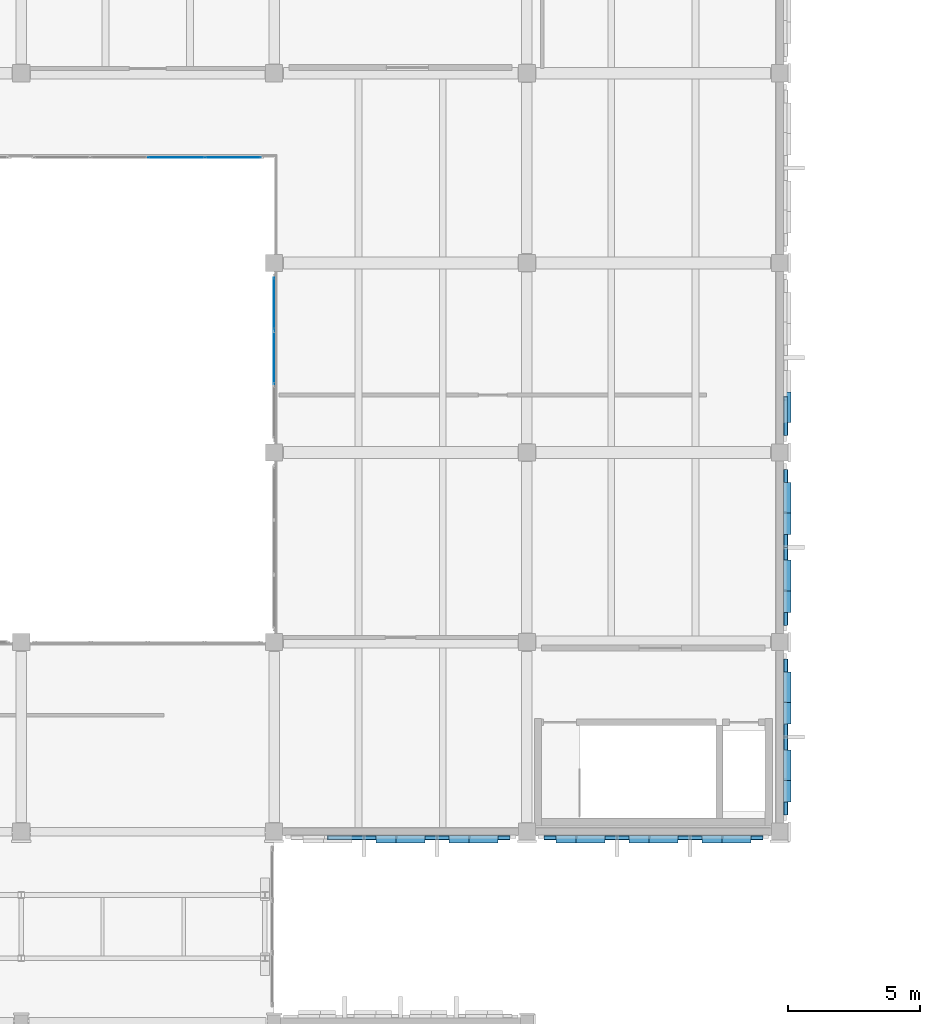
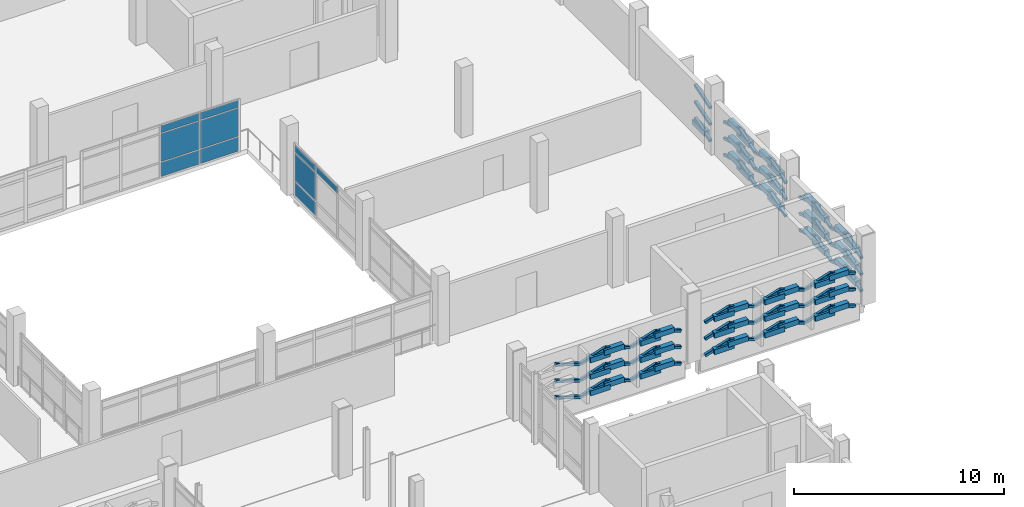
# One storey, part 41 of 72: 125 plates, 2 elements without a shape of their own.
"""IFC4 building model written with IfcOpenShell, lengths in metres."""

import ifcopenshell
import ifcopenshell.guid

model = None  # the IFC model being written
_history = None  # IfcOwnerHistory: only IFC2X3 demands one
_inside = {}  # id of a spatial element -> (the spatial element, [elements in it])
_under = {}  # id of a project, library or spatial element -> (it, [spatial elements below it])
_declared = {}  # id of a project -> (the project, [libraries it declares])
_typed = {}  # id of a type object -> (the type object, [elements of that type])
_made_of = {}  # id of a material, layer set ... -> (it, [elements and type objects made of it])


def new_model(schema):
    """Start an empty IFC model of exactly this schema.

    Asked for "IFC4X3", IfcOpenShell would pick the latest addendum, in which some entities
    have other attributes; the version numbers below select the first issue.
    IFC2X3 requires an IfcOwnerHistory on every rooted entity: one is made here for all.
    """
    global model, _history
    if schema == "IFC4X3":
        model = ifcopenshell.file(schema_version=(4, 3, 0, 0))
    else:
        model = ifcopenshell.file(schema=schema)
    _inside.clear()
    _under.clear()
    _declared.clear()
    _typed.clear()
    _made_of.clear()
    _history = None
    if model.schema == "IFC2X3":
        org = make("IfcOrganization", Name="unknown")
        user = make(
            "IfcPersonAndOrganization",
            ThePerson=make("IfcPerson", FamilyName="unknown"),
            TheOrganization=org,
        )
        app = make(
            "IfcApplication",
            ApplicationDeveloper=org,
            Version="unknown",
            ApplicationFullName="unknown",
            ApplicationIdentifier="unknown",
        )
        _history = make(
            "IfcOwnerHistory",
            OwningUser=user,
            OwningApplication=app,
            ChangeAction="ADDED",
            CreationDate=0,
        )
    return model


def make(cls, **values):
    """One entity of the class cls with the attributes given. An attribute that is None is left unset."""
    return model.create_entity(
        cls, **{name: value for name, value in values.items() if value is not None}
    )


def rooted(cls, **values):
    """An entity with a GlobalId (a new one), such as an element, a storey or a relation."""
    return make(cls, GlobalId=ifcopenshell.guid.new(), OwnerHistory=_history, **values)


def si_unit(unit_type, name, prefix=None):
    """IfcSIUnit, for example si_unit("LENGTHUNIT", "METRE", prefix="MILLI")."""
    return make("IfcSIUnit", UnitType=unit_type, Prefix=prefix, Name=name)


def assignment(units):
    """IfcUnitAssignment: the units of a project."""
    return None if units is None else make("IfcUnitAssignment", Units=units)


def point(xyz):
    """IfcCartesianPoint."""
    return None if xyz is None else make("IfcCartesianPoint", Coordinates=xyz)


def direction(xyz):
    """IfcDirection."""
    return None if xyz is None else make("IfcDirection", DirectionRatios=xyz)


def frame(location, z_axis=None, x_axis=None):
    """IfcAxis2Placement3D, a coordinate frame: its origin and axes. An axis left out is left unset."""
    return make(
        "IfcAxis2Placement3D",
        Location=point(location),
        Axis=direction(z_axis),
        RefDirection=direction(x_axis),
    )


def frame_2d(location, x_axis=None):
    """IfcAxis2Placement2D, a coordinate frame in the plane: its origin and x axis."""
    return make(
        "IfcAxis2Placement2D", Location=point(location), RefDirection=direction(x_axis)
    )


def origin():
    """The frame at (0, 0, 0) with its axes left unset."""
    return frame((0.0, 0.0, 0.0))


def origin_2d():
    """The frame at (0, 0) in the plane with its x axis left unset."""
    return frame_2d((0.0, 0.0))


def place(relative_to, where):
    """IfcLocalPlacement: puts the frame where relative to a parent placement (None: the world)."""
    return make(
        "IfcLocalPlacement", PlacementRelTo=relative_to, RelativePlacement=where
    )


def context(
    kind, dimensions, precision=None, world=None, true_north=None, identifier=None
):
    """IfcGeometricRepresentationContext, for example the 3D "Model" context."""
    return make(
        "IfcGeometricRepresentationContext",
        ContextIdentifier=identifier,
        ContextType=kind,
        CoordinateSpaceDimension=dimensions,
        Precision=precision,
        WorldCoordinateSystem=world,
        TrueNorth=true_north,
    )


def subcontext(parent, identifier, kind, view, scale=None):
    """IfcGeometricRepresentationSubContext, for example "Body" below "Model"."""
    return make(
        "IfcGeometricRepresentationSubContext",
        ContextIdentifier=identifier,
        ContextType=kind,
        ParentContext=parent,
        TargetScale=scale,
        TargetView=view,
    )


def project(units=None, contexts=None):
    """IfcProject with its units and contexts."""
    return rooted(
        "IfcProject",
        Name="project",
        RepresentationContexts=contexts,
        UnitsInContext=assignment(units),
    )


def spatial(cls, under=None, at=None, **own):
    """A site, building, storey or space (cls), placed at a placement, below another one or the project."""
    s = rooted(cls, ObjectPlacement=at, **own)
    if under is not None:
        _under.setdefault(under.id(), (under, []))[1].append(s)
    return s


def profile(cls, at=None, kind="AREA", **sizes):
    """A parametric profile (cls). Its sizes go by their IFC names, for example OverallWidth=200.0."""
    return make(cls, ProfileType=kind, Position=at, **sizes)


def rectangle(**sizes):
    """IfcRectangleProfileDef."""
    return profile("IfcRectangleProfileDef", **sizes)


def hollow_rectangle(**sizes):
    """IfcRectangleHollowProfileDef."""
    return profile("IfcRectangleHollowProfileDef", **sizes)


def extrude(swept, where, along, depth):
    """IfcExtrudedAreaSolid: the profile swept, set in the frame where, extruded along a direction by depth."""
    return make(
        "IfcExtrudedAreaSolid",
        SweptArea=swept,
        Position=where,
        ExtrudedDirection=direction(along),
        Depth=depth,
    )


def shape(context_of_items, identifier, shape_type, items):
    """IfcShapeRepresentation: the items that make up one representation, for example the "Body"."""
    return make(
        "IfcShapeRepresentation",
        ContextOfItems=context_of_items,
        RepresentationIdentifier=identifier,
        RepresentationType=shape_type,
        Items=items,
    )


def material(Name=None, Category=None):
    """IfcMaterial."""
    return make("IfcMaterial", Name=Name, Category=Category)


def layer(
    of_material, thickness, ventilated=None, Name=None, Category=None, Priority=None
):
    """IfcMaterialLayer: one layer of a wall or slab, of a material (None: an air gap)."""
    return make(
        "IfcMaterialLayer",
        Material=of_material,
        LayerThickness=thickness,
        IsVentilated=ventilated,
        Name=Name,
        Category=Category,
        Priority=Priority,
    )


def layer_set(layers, Name=None):
    """IfcMaterialLayerSet."""
    return make("IfcMaterialLayerSet", MaterialLayers=layers, LayerSetName=Name)


def material_profile(
    of_material, cross_section, Name=None, Category=None, Priority=None
):
    """IfcMaterialProfile: a cross section and its material."""
    return make(
        "IfcMaterialProfile",
        Name=Name,
        Material=of_material,
        Profile=cross_section,
        Priority=Priority,
        Category=Category,
    )


def profile_set(profiles, Name=None, composite=None):
    """IfcMaterialProfileSet."""
    return make(
        "IfcMaterialProfileSet",
        Name=Name,
        MaterialProfiles=profiles,
        CompositeProfile=composite,
    )


def made_of(thing, what):
    """Note that an element or type object is made of a material, layer set ...; save() writes the relation."""
    if what is not None:
        _made_of.setdefault(what.id(), (what, []))[1].append(thing)
    return thing


def type_object(cls, material=None, **own):
    """A type object (cls), such as IfcWallType, which elements share."""
    return made_of(rooted(cls, **own), material)


def element(
    cls,
    number,
    at=None,
    inside=None,
    cuts=None,
    type_object=None,
    material=None,
    context=None,
    identifier="Body",
    shape_type=None,
    held_by="IfcProductDefinitionShape",
    body=None,
    shapes=None,
    **own,
):
    """One element of the class cls, such as IfcWall. Its Tag is "e" and its number.

    at: its placement. inside: the storey or other place that contains it. cuts: it is an
    opening in that element (IfcRelVoidsElement). A single representation is given by context,
    identifier, shape_type and body (its items); several are given by shapes. held_by: the class
    of the entity that holds the representations. save() writes the other relations.
    """
    e = rooted(cls, Tag="e%d" % number, ObjectPlacement=at, **own)
    if body is not None:
        shapes = [shape(context, identifier, shape_type, body)]
    if shapes is not None:
        e.Representation = make(held_by, Representations=shapes)
    if inside is not None:
        _inside.setdefault(inside.id(), (inside, []))[1].append(e)
    if cuts is not None:
        rooted(
            "IfcRelVoidsElement", RelatingBuildingElement=cuts, RelatedOpeningElement=e
        )
    if type_object is not None:
        _typed.setdefault(type_object.id(), (type_object, []))[1].append(e)
    return made_of(e, material)


def aggregate(whole, parts):
    """IfcRelAggregates: a whole, such as a stair, and the parts it consists of."""
    return rooted("IfcRelAggregates", RelatingObject=whole, RelatedObjects=parts)


def save(model, path):
    """Write the relations noted so far, then the file.

    IfcRelAggregates (storeys below a building ...), IfcRelContainedInSpatialStructure (elements
    in a storey), IfcRelDefinesByType, IfcRelAssociatesMaterial and IfcRelDeclares: one each for
    every whole, place, type object, material and project.
    """
    for whole, parts in _under.values():
        aggregate(whole, parts)
    for where, things in _inside.values():
        rooted(
            "IfcRelContainedInSpatialStructure",
            RelatedElements=things,
            RelatingStructure=where,
        )
    for kind, things in _typed.values():
        rooted("IfcRelDefinesByType", RelatedObjects=things, RelatingType=kind)
    for what, things in _made_of.values():
        rooted("IfcRelAssociatesMaterial", RelatedObjects=things, RelatingMaterial=what)
    for by, libraries in _declared.values():
        rooted("IfcRelDeclares", RelatingContext=by, RelatedDefinitions=libraries)
    model.write(path)


model = new_model("IFC4")

# Units and contexts
model_context = context("Model", 3, precision=1e-05, world=origin(), true_north=direction((0.0, 1.0)))
body_context = subcontext(model_context, "Body", "Model", "MODEL_VIEW")
ifc_project = project(units=[si_unit("LENGTHUNIT", "METRE"), si_unit("AREAUNIT", "SQUARE_METRE"), si_unit("VOLUMEUNIT", "CUBIC_METRE"), si_unit("PLANEANGLEUNIT", "RADIAN"), si_unit("MASSUNIT", "GRAM", prefix="KILO")], contexts=[model_context])

# Site, building, storey
site_placement = place(None, origin())
site = spatial("IfcSite", under=ifc_project, at=site_placement, CompositionType="ELEMENT")
building_placement = place(site_placement, origin())
building = spatial("IfcBuilding", under=site, at=building_placement, Name="Asteropetra Specialist Clinic", CompositionType="ELEMENT")
storey_placement = place(building_placement, frame((0.0, 0.0, 12.580078125)))
storey = spatial("IfcBuildingStorey", under=building, at=storey_placement, Name="L03", CompositionType="ELEMENT", Elevation=12.580078125)

# Plates
ifc_material_1 = material(Name="Chevron emerald aluminium 6063-T6", Category="aluminium")
ifc_material_profile = material_profile(ifc_material_1, hollow_rectangle(XDim=0.159912109375, YDim=0.159912109375, WallThickness=0.008056640625, InnerFilletRadius=0.008056640625, OuterFilletRadius=0.01611328125, at=origin_2d()), Name="SHS 160x160x8.0")
ifc_profile_set = profile_set([ifc_material_profile], Name="Chevron emerald aluminium 6063-T6")
plate_type_1 = type_object("IfcPlateType", Name="CHV-RIB-160", PredefinedType="SHEET", material=ifc_profile_set)
for number, where, z_axis, x_axis, name in (
    (1, (30.830078125, 69.3779296875, 0.49658203125), (0.952430080856, 0.0, -0.304757183805), (0.0, 1.0, 0.0), "Chevron Facade Screen Fin CVR-1270"),
    (2, (30.830078125, 69.3779296875, 1.45654296875), (0.952479516829, 0.0, -0.304602642835), (0.0, 1.0, 0.0), "Chevron Facade Screen Fin CVR-1272"),
    (3, (30.830078125, 69.3779296875, 2.41650390625), (0.952479516829, 0.0, -0.304602642835), (0.0, 1.0, 0.0), "Chevron Facade Screen Fin CVR-1274"),
    (4, (32.235107421875, 69.3779296875, 0.059814453125), (0.952430080856, 0.0, 0.304757183805), (0.0, 1.0, 0.0), "Chevron Facade Screen Fin CVR-1275"),
    (5, (33.60009765625, 69.3779296875, 0.49658203125), (0.952430080856, 0.0, -0.304757183805), (0.0, 1.0, 0.0), "Chevron Facade Screen Fin CVR-1276"),
    (6, (32.235107421875, 69.3779296875, 1.02001953125), (0.952479516829, 0.0, 0.304602642835), (0.0, 1.0, 0.0), "Chevron Facade Screen Fin CVR-1277"),
    (7, (33.60009765625, 69.3779296875, 1.45654296875), (0.952479516829, 0.0, -0.304602642835), (0.0, 1.0, 0.0), "Chevron Facade Screen Fin CVR-1278"),
    (8, (32.235107421875, 69.3779296875, 1.97998046875), (0.952479516829, 0.0, 0.304602642835), (0.0, 1.0, 0.0), "Chevron Facade Screen Fin CVR-1279"),
    (9, (33.60009765625, 69.3779296875, 2.41650390625), (0.952479516829, 0.0, -0.304602642835), (0.0, 1.0, 0.0), "Chevron Facade Screen Fin CVR-1280"),
):
    element("IfcPlate", number, at=place(storey_placement, frame(where, z_axis=z_axis, x_axis=x_axis)), inside=storey, type_object=plate_type_1, Name=name, PredefinedType="SHEET", context=body_context, shape_type="SweptSolid", body=[
        extrude(hollow_rectangle(XDim=0.159912109375, YDim=0.159912109375, WallThickness=0.008056640625, InnerFilletRadius=0.008056640625, OuterFilletRadius=0.01611328125, at=origin_2d()), origin(), (0.0, 0.0, 1.0), 1.43310546875),
    ])
plate_1_placement = place(storey_placement, frame((35.0048828125, 69.3779296875, 0.059814453125), z_axis=(0.952445898647, 0.0, 0.304707745472), x_axis=(0.0, 1.0, 0.0)))
element("IfcPlate", 10, at=plate_1_placement, inside=storey, type_object=plate_type_1, Name="Chevron Facade Screen Fin CVR-1281", PredefinedType="SHEET", context=body_context, shape_type="SweptSolid", body=[
    extrude(hollow_rectangle(XDim=0.159912109375, YDim=0.159912109375, WallThickness=0.008056640625, InnerFilletRadius=0.008056640625, OuterFilletRadius=0.01611328125, at=origin_2d()), origin(), (0.0, 0.0, 1.0), 1.433349609375),
])
plate_2_placement = place(storey_placement, frame((36.3701171875, 69.3779296875, 0.49658203125), z_axis=(0.952430080856, 0.0, -0.304757183805), x_axis=(0.0, 1.0, 0.0)))
element("IfcPlate", 11, at=plate_2_placement, inside=storey, type_object=plate_type_1, Name="Chevron Facade Screen Fin CVR-1282", PredefinedType="SHEET", context=body_context, shape_type="SweptSolid", body=[
    extrude(hollow_rectangle(XDim=0.159912109375, YDim=0.159912109375, WallThickness=0.008056640625, InnerFilletRadius=0.008056640625, OuterFilletRadius=0.01611328125, at=origin_2d()), origin(), (0.0, 0.0, 1.0), 1.43310546875),
])
plate_3_placement = place(storey_placement, frame((35.0048828125, 69.3779296875, 1.02001953125), z_axis=(0.952495319401, 0.0, 0.304553224444), x_axis=(0.0, 1.0, 0.0)))
element("IfcPlate", 12, at=plate_3_placement, inside=storey, type_object=plate_type_1, Name="Chevron Facade Screen Fin CVR-1283", PredefinedType="SHEET", context=body_context, shape_type="SweptSolid", body=[
    extrude(hollow_rectangle(XDim=0.159912109375, YDim=0.159912109375, WallThickness=0.008056640625, InnerFilletRadius=0.008056640625, OuterFilletRadius=0.01611328125, at=origin_2d()), origin(), (0.0, 0.0, 1.0), 1.433349609375),
])
plate_4_placement = place(storey_placement, frame((36.3701171875, 69.3779296875, 1.45654296875), z_axis=(0.952479516829, 0.0, -0.304602642835), x_axis=(0.0, 1.0, 0.0)))
element("IfcPlate", 13, at=plate_4_placement, inside=storey, type_object=plate_type_1, Name="Chevron Facade Screen Fin CVR-1284", PredefinedType="SHEET", context=body_context, shape_type="SweptSolid", body=[
    extrude(hollow_rectangle(XDim=0.159912109375, YDim=0.159912109375, WallThickness=0.008056640625, InnerFilletRadius=0.008056640625, OuterFilletRadius=0.01611328125, at=origin_2d()), origin(), (0.0, 0.0, 1.0), 1.43310546875),
])
plate_5_placement = place(storey_placement, frame((35.0048828125, 69.3779296875, 1.97998046875), z_axis=(0.952495319401, 0.0, 0.304553224444), x_axis=(0.0, 1.0, 0.0)))
element("IfcPlate", 14, at=plate_5_placement, inside=storey, type_object=plate_type_1, Name="Chevron Facade Screen Fin CVR-1285", PredefinedType="SHEET", context=body_context, shape_type="SweptSolid", body=[
    extrude(hollow_rectangle(XDim=0.159912109375, YDim=0.159912109375, WallThickness=0.008056640625, InnerFilletRadius=0.008056640625, OuterFilletRadius=0.01611328125, at=origin_2d()), origin(), (0.0, 0.0, 1.0), 1.433349609375),
])
for number, where, z_axis, x_axis, name in (
    (15, (36.3701171875, 69.3779296875, 2.41650390625), (0.952479516829, 0.0, -0.304602642835), (0.0, 1.0, 0.0), "Chevron Facade Screen Fin CVR-1286"),
    (16, (39.06494140625, 69.3779296875, 0.059814453125), (0.952430080856, 0.0, 0.304757183805), (0.0, 1.0, 0.0), "Chevron Facade Screen Fin CVR-1305"),
    (17, (40.429931640625, 69.3779296875, 0.49658203125), (0.952430080856, 0.0, -0.304757183805), (0.0, 1.0, 0.0), "Chevron Facade Screen Fin CVR-1306"),
    (18, (39.06494140625, 69.3779296875, 1.02001953125), (0.952479516829, 0.0, 0.304602642835), (0.0, 1.0, 0.0), "Chevron Facade Screen Fin CVR-1307"),
    (19, (40.429931640625, 69.3779296875, 1.45654296875), (0.952479516829, 0.0, -0.304602642835), (0.0, 1.0, 0.0), "Chevron Facade Screen Fin CVR-1308"),
    (20, (39.06494140625, 69.3779296875, 1.97998046875), (0.952479516829, 0.0, 0.304602642835), (0.0, 1.0, 0.0), "Chevron Facade Screen Fin CVR-1309"),
    (21, (40.429931640625, 69.3779296875, 2.41650390625), (0.952479516829, 0.0, -0.304602642835), (0.0, 1.0, 0.0), "Chevron Facade Screen Fin CVR-1310"),
    (22, (41.8349609375, 69.3779296875, 0.059814453125), (0.952430080856, 0.0, 0.304757183805), (0.0, 1.0, 0.0), "Chevron Facade Screen Fin CVR-1311"),
    (23, (43.199951171875, 69.3779296875, 0.49658203125), (0.952430080856, 0.0, -0.304757183805), (0.0, 1.0, 0.0), "Chevron Facade Screen Fin CVR-1312"),
    (24, (41.8349609375, 69.3779296875, 1.02001953125), (0.952479516829, 0.0, 0.304602642835), (0.0, 1.0, 0.0), "Chevron Facade Screen Fin CVR-1313"),
    (25, (43.199951171875, 69.3779296875, 1.45654296875), (0.952479516829, 0.0, -0.304602642835), (0.0, 1.0, 0.0), "Chevron Facade Screen Fin CVR-1314"),
    (26, (41.8349609375, 69.3779296875, 1.97998046875), (0.952479516829, 0.0, 0.304602642835), (0.0, 1.0, 0.0), "Chevron Facade Screen Fin CVR-1315"),
    (27, (43.199951171875, 69.3779296875, 2.41650390625), (0.952479516829, 0.0, -0.304602642835), (0.0, 1.0, 0.0), "Chevron Facade Screen Fin CVR-1316"),
    (28, (44.60498046875, 69.3779296875, 0.059814453125), (0.952430080856, 0.0, 0.304757183805), (0.0, 1.0, 0.0), "Chevron Facade Screen Fin CVR-1317"),
    (29, (45.969970703125, 69.3779296875, 0.49658203125), (0.952430080856, 0.0, -0.304757183805), (0.0, 1.0, 0.0), "Chevron Facade Screen Fin CVR-1318"),
    (30, (44.60498046875, 69.3779296875, 1.02001953125), (0.952479516829, 0.0, 0.304602642835), (0.0, 1.0, 0.0), "Chevron Facade Screen Fin CVR-1319"),
    (31, (45.969970703125, 69.3779296875, 1.45654296875), (0.952479516829, 0.0, -0.304602642835), (0.0, 1.0, 0.0), "Chevron Facade Screen Fin CVR-1320"),
    (32, (44.60498046875, 69.3779296875, 1.97998046875), (0.952479516829, 0.0, 0.304602642835), (0.0, 1.0, 0.0), "Chevron Facade Screen Fin CVR-1321"),
    (33, (45.969970703125, 69.3779296875, 2.41650390625), (0.952479516829, 0.0, -0.304602642835), (0.0, 1.0, 0.0), "Chevron Facade Screen Fin CVR-1322"),
):
    element("IfcPlate", number, at=place(storey_placement, frame(where, z_axis=z_axis, x_axis=x_axis)), inside=storey, type_object=plate_type_1, Name=name, PredefinedType="SHEET", context=body_context, shape_type="SweptSolid", body=[
        extrude(hollow_rectangle(XDim=0.159912109375, YDim=0.159912109375, WallThickness=0.008056640625, InnerFilletRadius=0.008056640625, OuterFilletRadius=0.01611328125, at=origin_2d()), origin(), (0.0, 0.0, 1.0), 1.43310546875),
    ])
for number, where, z_axis, x_axis, name in (
    (34, (48.221923828125, 70.264892578125, 0.059814453125), (0.0, 0.952488962874, 0.304573103874), (-1.0, 0.0, 0.0), "Chevron Facade Screen Fin CVR-1353"),
    (35, (48.221923828125, 71.722412109375, 0.52587890625), (0.0, 0.952488962874, -0.304573103874), (-1.0, 0.0, 0.0), "Chevron Facade Screen Fin CVR-1354"),
):
    element("IfcPlate", number, at=place(storey_placement, frame(where, z_axis=z_axis, x_axis=x_axis)), inside=storey, type_object=plate_type_1, Name=name, PredefinedType="SHEET", context=body_context, shape_type="SweptSolid", body=[
        extrude(hollow_rectangle(XDim=0.159912109375, YDim=0.159912109375, WallThickness=0.008056640625, InnerFilletRadius=0.008056640625, OuterFilletRadius=0.01611328125, at=origin_2d()), origin(), (0.0, 0.0, 1.0), 1.5302734375),
    ])
for number, where, z_axis, x_axis, name in (
    (36, (48.221923828125, 70.264892578125, 1.02001953125), (0.0, 0.952535238788, 0.304428347673), (-1.0, 0.0, 0.0), "Chevron Facade Screen Fin CVR-1355"),
    (37, (48.221923828125, 71.722412109375, 1.48583984375), (0.0, 0.952535238788, -0.304428347673), (-1.0, 0.0, 0.0), "Chevron Facade Screen Fin CVR-1356"),
    (38, (48.221923828125, 70.264892578125, 1.97998046875), (0.0, 0.952535238788, 0.304428347673), (-1.0, 0.0, 0.0), "Chevron Facade Screen Fin CVR-1357"),
    (39, (48.221923828125, 71.722412109375, 2.44580078125), (0.0, 0.952535238788, -0.304428347673), (-1.0, 0.0, 0.0), "Chevron Facade Screen Fin CVR-1358"),
):
    element("IfcPlate", number, at=place(storey_placement, frame(where, z_axis=z_axis, x_axis=x_axis)), inside=storey, type_object=plate_type_1, Name=name, PredefinedType="SHEET", context=body_context, shape_type="SweptSolid", body=[
        extrude(hollow_rectangle(XDim=0.159912109375, YDim=0.159912109375, WallThickness=0.008056640625, InnerFilletRadius=0.008056640625, OuterFilletRadius=0.01611328125, at=origin_2d()), origin(), (0.0, 0.0, 1.0), 1.530029296875),
    ])
for number, where, z_axis, x_axis, name in (
    (40, (48.221923828125, 73.219970703125, 0.059814453125), (0.0, 0.952488962874, 0.304573103874), (-1.0, 0.0, 0.0), "Chevron Facade Screen Fin CVR-1359"),
    (41, (48.221923828125, 74.677490234375, 0.52587890625), (0.0, 0.952488962874, -0.304573103874), (-1.0, 0.0, 0.0), "Chevron Facade Screen Fin CVR-1360"),
):
    element("IfcPlate", number, at=place(storey_placement, frame(where, z_axis=z_axis, x_axis=x_axis)), inside=storey, type_object=plate_type_1, Name=name, PredefinedType="SHEET", context=body_context, shape_type="SweptSolid", body=[
        extrude(hollow_rectangle(XDim=0.159912109375, YDim=0.159912109375, WallThickness=0.008056640625, InnerFilletRadius=0.008056640625, OuterFilletRadius=0.01611328125, at=origin_2d()), origin(), (0.0, 0.0, 1.0), 1.5302734375),
    ])
for number, where, z_axis, x_axis, name in (
    (42, (48.221923828125, 73.219970703125, 1.02001953125), (0.0, 0.952535238788, 0.304428347673), (-1.0, 0.0, 0.0), "Chevron Facade Screen Fin CVR-1361"),
    (43, (48.221923828125, 74.677490234375, 1.48583984375), (0.0, 0.952535238788, -0.304428347673), (-1.0, 0.0, 0.0), "Chevron Facade Screen Fin CVR-1362"),
    (44, (48.221923828125, 73.219970703125, 1.97998046875), (0.0, 0.952535238788, 0.304428347673), (-1.0, 0.0, 0.0), "Chevron Facade Screen Fin CVR-1363"),
    (45, (48.221923828125, 74.677490234375, 2.44580078125), (0.0, 0.952535238788, -0.304428347673), (-1.0, 0.0, 0.0), "Chevron Facade Screen Fin CVR-1364"),
):
    element("IfcPlate", number, at=place(storey_placement, frame(where, z_axis=z_axis, x_axis=x_axis)), inside=storey, type_object=plate_type_1, Name=name, PredefinedType="SHEET", context=body_context, shape_type="SweptSolid", body=[
        extrude(hollow_rectangle(XDim=0.159912109375, YDim=0.159912109375, WallThickness=0.008056640625, InnerFilletRadius=0.008056640625, OuterFilletRadius=0.01611328125, at=origin_2d()), origin(), (0.0, 0.0, 1.0), 1.530029296875),
    ])
plate_6_placement = place(storey_placement, frame((48.221923828125, 77.465087890625, 0.059814453125), z_axis=(0.0, 0.952488962874, 0.304573103874), x_axis=(-1.0, 0.0, 0.0)))
element("IfcPlate", 46, at=plate_6_placement, inside=storey, type_object=plate_type_1, Name="Chevron Facade Screen Fin CVR-1377", PredefinedType="SHEET", context=body_context, shape_type="SweptSolid", body=[
    extrude(hollow_rectangle(XDim=0.159912109375, YDim=0.159912109375, WallThickness=0.008056640625, InnerFilletRadius=0.008056640625, OuterFilletRadius=0.01611328125, at=origin_2d()), origin(), (0.0, 0.0, 1.0), 1.5302734375),
])
for number, where, z_axis, x_axis, name in (
    (47, (48.221923828125, 78.922607421875, 0.52587890625), (0.0, 0.952474159261, -0.304619395213), (-1.0, 0.0, 0.0), "Chevron Facade Screen Fin CVR-1378"),
    (48, (48.221923828125, 77.465087890625, 1.02001953125), (0.0, 0.952535238788, 0.304428347673), (-1.0, 0.0, 0.0), "Chevron Facade Screen Fin CVR-1379"),
    (49, (48.221923828125, 78.922607421875, 1.48583984375), (0.0, 0.952520448524, -0.304474621509), (-1.0, 0.0, 0.0), "Chevron Facade Screen Fin CVR-1380"),
    (50, (48.221923828125, 77.465087890625, 1.97998046875), (0.0, 0.952535238788, 0.304428347673), (-1.0, 0.0, 0.0), "Chevron Facade Screen Fin CVR-1381"),
    (51, (48.221923828125, 78.922607421875, 2.44580078125), (0.0, 0.952520448524, -0.304474621509), (-1.0, 0.0, 0.0), "Chevron Facade Screen Fin CVR-1382"),
):
    element("IfcPlate", number, at=place(storey_placement, frame(where, z_axis=z_axis, x_axis=x_axis)), inside=storey, type_object=plate_type_1, Name=name, PredefinedType="SHEET", context=body_context, shape_type="SweptSolid", body=[
        extrude(hollow_rectangle(XDim=0.159912109375, YDim=0.159912109375, WallThickness=0.008056640625, InnerFilletRadius=0.008056640625, OuterFilletRadius=0.01611328125, at=origin_2d()), origin(), (0.0, 0.0, 1.0), 1.530029296875),
    ])
for number, where, z_axis, x_axis, name in (
    (52, (48.221923828125, 80.419921875, 0.059814453125), (0.0, 0.952488962874, 0.304573103874), (-1.0, 0.0, 0.0), "Chevron Facade Screen Fin CVR-1383"),
    (53, (48.221923828125, 81.87744140625, 0.52587890625), (0.0, 0.952488962874, -0.304573103874), (-1.0, 0.0, 0.0), "Chevron Facade Screen Fin CVR-1384"),
):
    element("IfcPlate", number, at=place(storey_placement, frame(where, z_axis=z_axis, x_axis=x_axis)), inside=storey, type_object=plate_type_1, Name=name, PredefinedType="SHEET", context=body_context, shape_type="SweptSolid", body=[
        extrude(hollow_rectangle(XDim=0.159912109375, YDim=0.159912109375, WallThickness=0.008056640625, InnerFilletRadius=0.008056640625, OuterFilletRadius=0.01611328125, at=origin_2d()), origin(), (0.0, 0.0, 1.0), 1.5302734375),
    ])
for number, where, z_axis, x_axis, name in (
    (54, (48.221923828125, 80.419921875, 1.02001953125), (0.0, 0.952535238788, 0.304428347673), (-1.0, 0.0, 0.0), "Chevron Facade Screen Fin CVR-1385"),
    (55, (48.221923828125, 81.87744140625, 1.48583984375), (0.0, 0.952535238788, -0.304428347673), (-1.0, 0.0, 0.0), "Chevron Facade Screen Fin CVR-1386"),
    (56, (48.221923828125, 80.419921875, 1.97998046875), (0.0, 0.952535238788, 0.304428347673), (-1.0, 0.0, 0.0), "Chevron Facade Screen Fin CVR-1387"),
    (57, (48.221923828125, 81.87744140625, 2.44580078125), (0.0, 0.952535238788, -0.304428347673), (-1.0, 0.0, 0.0), "Chevron Facade Screen Fin CVR-1388"),
):
    element("IfcPlate", number, at=place(storey_placement, frame(where, z_axis=z_axis, x_axis=x_axis)), inside=storey, type_object=plate_type_1, Name=name, PredefinedType="SHEET", context=body_context, shape_type="SweptSolid", body=[
        extrude(hollow_rectangle(XDim=0.159912109375, YDim=0.159912109375, WallThickness=0.008056640625, InnerFilletRadius=0.008056640625, OuterFilletRadius=0.01611328125, at=origin_2d()), origin(), (0.0, 0.0, 1.0), 1.530029296875),
    ])
plate_7_placement = place(storey_placement, frame((48.221923828125, 84.6650390625, 0.059814453125), z_axis=(0.0, 0.952488962874, 0.304573103874), x_axis=(-1.0, 0.0, 0.0)))
element("IfcPlate", 58, at=plate_7_placement, inside=storey, type_object=plate_type_1, Name="Chevron Facade Screen Fin CVR-1401", PredefinedType="SHEET", context=body_context, shape_type="SweptSolid", body=[
    extrude(hollow_rectangle(XDim=0.159912109375, YDim=0.159912109375, WallThickness=0.008056640625, InnerFilletRadius=0.008056640625, OuterFilletRadius=0.01611328125, at=origin_2d()), origin(), (0.0, 0.0, 1.0), 1.5302734375),
])
for number, where, z_axis, x_axis, name in (
    (59, (48.221923828125, 84.6650390625, 1.02001953125), (0.0, 0.952535238788, 0.304428347673), (-1.0, 0.0, 0.0), "Chevron Facade Screen Fin CVR-1403"),
    (60, (48.221923828125, 84.6650390625, 1.97998046875), (0.0, 0.952535238788, 0.304428347673), (-1.0, 0.0, 0.0), "Chevron Facade Screen Fin CVR-1405"),
):
    element("IfcPlate", number, at=place(storey_placement, frame(where, z_axis=z_axis, x_axis=x_axis)), inside=storey, type_object=plate_type_1, Name=name, PredefinedType="SHEET", context=body_context, shape_type="SweptSolid", body=[
        extrude(hollow_rectangle(XDim=0.159912109375, YDim=0.159912109375, WallThickness=0.008056640625, InnerFilletRadius=0.008056640625, OuterFilletRadius=0.01611328125, at=origin_2d()), origin(), (0.0, 0.0, 1.0), 1.530029296875),
    ])

# Curtain wall, plates
ifc_material_2 = material(Name="Aluminium and low-E glass", Category="aluminium")
ifc_layer_1 = layer(ifc_material_2, 0.179931640625)
ifc_layer_set_1 = layer_set([ifc_layer_1], Name="Aluminium and low-E glass")
curtain_wall_type_1 = type_object("IfcCurtainWallType", Name="CW-SYS-04", PredefinedType="USERDEFINED", material=ifc_layer_set_1)
curtain_wall_1_placement = place(storey_placement, origin())
curtain_wall_1 = element("IfcCurtainWall", 61, at=curtain_wall_1_placement, inside=storey, type_object=curtain_wall_type_1, Name="Curtain Wall CW-044", ObjectType="UNITISED CURTAIN WALL", PredefinedType="USERDEFINED")
ifc_material_3 = material(Name="Low-E double glazing", Category="glass")
ifc_layer_2 = layer(ifc_material_3, 0.028076171875)
ifc_layer_set_2 = layer_set([ifc_layer_2], Name="Low-E double glazing")
plate_type_2 = type_object("IfcPlateType", Name="CWP-GLZ-28", PredefinedType="CURTAIN_PANEL", material=ifc_layer_set_2)
plate_8_placement = place(storey_placement, frame((27.2548828125, 95.199951171875, 0.059814453125), z_axis=(0.0, 0.0, 1.0), x_axis=(-1.0, 0.0, 0.0)))
plate_8 = element("IfcPlate", 62, at=plate_8_placement, type_object=plate_type_2, Name="CW-044 panel 1.1", PredefinedType="CURTAIN_PANEL", context=body_context, shape_type="SweptSolid", body=[
    extrude(rectangle(XDim=2.090087890625, YDim=0.028076171875, at=origin_2d()), origin(), (0.0, 0.0, 1.0), 0.81005859375),
])
plate_9_placement = place(storey_placement, frame((27.2548828125, 95.199951171875, 0.929931640625), z_axis=(0.0, 0.0, 1.0), x_axis=(-1.0, 0.0, 0.0)))
plate_9 = element("IfcPlate", 63, at=plate_9_placement, type_object=plate_type_2, Name="CW-044 panel 1.2", PredefinedType="CURTAIN_PANEL", context=body_context, shape_type="SweptSolid", body=[
    extrude(rectangle(XDim=2.090087890625, YDim=0.028076171875, at=origin_2d()), origin(), (0.0, 0.0, 1.0), 1.6201171875),
])
plate_10_placement = place(storey_placement, frame((27.2548828125, 95.199951171875, 2.60986328125), z_axis=(0.0, 0.0, 1.0), x_axis=(-1.0, 0.0, 0.0)))
plate_10 = element("IfcPlate", 64, at=plate_10_placement, type_object=plate_type_2, Name="CW-044 panel 1.3", PredefinedType="CURTAIN_PANEL", context=body_context, shape_type="SweptSolid", body=[
    extrude(rectangle(XDim=2.090087890625, YDim=0.028076171875, at=origin_2d()), origin(), (0.0, 0.0, 1.0), 0.409912109375),
])
plate_11_placement = place(storey_placement, frame((25.090087890625, 95.199951171875, 0.059814453125), z_axis=(0.0, 0.0, 1.0), x_axis=(-1.0, 0.0, 0.0)))
plate_11 = element("IfcPlate", 65, at=plate_11_placement, type_object=plate_type_2, Name="CW-044 panel 2.1", PredefinedType="CURTAIN_PANEL", context=body_context, shape_type="SweptSolid", body=[
    extrude(rectangle(XDim=2.1201171875, YDim=0.028076171875, at=origin_2d()), origin(), (0.0, 0.0, 1.0), 0.81005859375),
])
plate_12_placement = place(storey_placement, frame((25.090087890625, 95.199951171875, 0.929931640625), z_axis=(0.0, 0.0, 1.0), x_axis=(-1.0, 0.0, 0.0)))
plate_12 = element("IfcPlate", 66, at=plate_12_placement, type_object=plate_type_2, Name="CW-044 panel 2.2", PredefinedType="CURTAIN_PANEL", context=body_context, shape_type="SweptSolid", body=[
    extrude(rectangle(XDim=2.1201171875, YDim=0.028076171875, at=origin_2d()), origin(), (0.0, 0.0, 1.0), 1.6201171875),
])
plate_13_placement = place(storey_placement, frame((25.090087890625, 95.199951171875, 2.60986328125), z_axis=(0.0, 0.0, 1.0), x_axis=(-1.0, 0.0, 0.0)))
plate_13 = element("IfcPlate", 67, at=plate_13_placement, type_object=plate_type_2, Name="CW-044 panel 2.3", PredefinedType="CURTAIN_PANEL", context=body_context, shape_type="SweptSolid", body=[
    extrude(rectangle(XDim=2.1201171875, YDim=0.028076171875, at=origin_2d()), origin(), (0.0, 0.0, 1.0), 0.409912109375),
])
aggregate(curtain_wall_1, [plate_8, plate_9, plate_10, plate_11, plate_12, plate_13])

ifc_material_4 = material(Name="Aluminium and low-E glass", Category="aluminium")
ifc_layer_3 = layer(ifc_material_4, 0.135009765625)
ifc_layer_set_3 = layer_set([ifc_layer_3], Name="Aluminium and low-E glass")
curtain_wall_type_2 = type_object("IfcCurtainWallType", Name="CW-SYS-06", PredefinedType="USERDEFINED", material=ifc_layer_set_3)
curtain_wall_2_placement = place(storey_placement, origin())
curtain_wall_2 = element("IfcCurtainWall", 68, at=curtain_wall_2_placement, inside=storey, type_object=curtain_wall_type_2, Name="Curtain Wall CW-048", ObjectType="UNITISED CURTAIN WALL", PredefinedType="USERDEFINED")
plate_14_placement = place(storey_placement, frame((28.800048828125, 87.60009765625, 2.61767578125), z_axis=(0.0, 0.0, 1.0), x_axis=(0.0, 1.0, 0.0)))
plate_14 = element("IfcPlate", 69, at=plate_14_placement, type_object=plate_type_2, Name="CW-048 panel 2.3", PredefinedType="CURTAIN_PANEL", context=body_context, shape_type="SweptSolid", body=[
    extrude(rectangle(XDim=2.001708984375, YDim=0.028076171875, at=origin_2d()), origin(), (0.0, 0.0, 1.0), 0.387451171875),
])
plate_15_placement = place(storey_placement, frame((28.800048828125, 89.657958984375, 0.074951171875), z_axis=(0.0, 0.0, 1.0), x_axis=(0.0, 1.0, 0.0)))
plate_15 = element("IfcPlate", 70, at=plate_15_placement, type_object=plate_type_2, Name="CW-048 panel 3.1", PredefinedType="CURTAIN_PANEL", context=body_context, shape_type="SweptSolid", body=[
    extrude(rectangle(XDim=1.964111328125, YDim=0.028076171875, at=origin_2d()), origin(), (0.0, 0.0, 1.0), 0.78759765625),
])
plate_16_placement = place(storey_placement, frame((28.800048828125, 89.657958984375, 0.9375), z_axis=(0.0, 0.0, 1.0), x_axis=(0.0, 1.0, 0.0)))
plate_16 = element("IfcPlate", 71, at=plate_16_placement, type_object=plate_type_2, Name="CW-048 panel 3.2", PredefinedType="CURTAIN_PANEL", context=body_context, shape_type="SweptSolid", body=[
    extrude(rectangle(XDim=1.964111328125, YDim=0.028076171875, at=origin_2d()), origin(), (0.0, 0.0, 1.0), 1.60498046875),
])
plate_17_placement = place(storey_placement, frame((28.800048828125, 89.657958984375, 2.61767578125), z_axis=(0.0, 0.0, 1.0), x_axis=(0.0, 1.0, 0.0)))
plate_17 = element("IfcPlate", 72, at=plate_17_placement, type_object=plate_type_2, Name="CW-048 panel 3.3", PredefinedType="CURTAIN_PANEL", context=body_context, shape_type="SweptSolid", body=[
    extrude(rectangle(XDim=1.964111328125, YDim=0.028076171875, at=origin_2d()), origin(), (0.0, 0.0, 1.0), 0.387451171875),
])
aggregate(curtain_wall_2, [plate_14, plate_15, plate_16, plate_17])

# Plates
ifc_material_5 = material(Name="Aluminium 6063-T6", Category="aluminium")
ifc_layer_4 = layer(ifc_material_5, 0.139892578125)
ifc_layer_set_4 = layer_set([ifc_layer_4], Name="Aluminium 6063-T6")
plate_type_3 = type_object("IfcPlateType", Name="PLT-CHV-TILE", PredefinedType="SHEET", material=ifc_layer_set_4)
for number, where, z_axis, x_axis, name in (
    (73, (33.2177734375, 69.320068359375, 0.041015625), (0.0, 0.0, 1.0), (1.0, 0.0, 0.0), "Chevron Ceramic Panel CPT-0957"),
    (74, (33.982177734375, 69.320068359375, 0.20703125), (0.0, 0.0, 1.0), (1.0, 0.0, 0.0), "Chevron Ceramic Panel CPT-0958"),
    (75, (33.2177734375, 69.320068359375, 1.0009765625), (0.0, 0.0, 1.0), (1.0, 0.0, 0.0), "Chevron Ceramic Panel CPT-0959"),
    (76, (33.982177734375, 69.320068359375, 1.1669921875), (0.0, 0.0, 1.0), (1.0, 0.0, 0.0), "Chevron Ceramic Panel CPT-0960"),
    (77, (33.2177734375, 69.320068359375, 1.9609375), (0.0, 0.0, 1.0), (1.0, 0.0, 0.0), "Chevron Ceramic Panel CPT-0961"),
    (78, (33.982177734375, 69.320068359375, 2.126953125), (0.0, 0.0, 1.0), (1.0, 0.0, 0.0), "Chevron Ceramic Panel CPT-0962"),
    (79, (35.98779296875, 69.320068359375, 0.041015625), (0.0, 0.0, 1.0), (1.0, 0.0, 0.0), "Chevron Ceramic Panel CPT-0963"),
    (80, (36.752197265625, 69.320068359375, 0.20703125), (0.0, 0.0, 1.0), (1.0, 0.0, 0.0), "Chevron Ceramic Panel CPT-0964"),
    (81, (35.98779296875, 69.320068359375, 1.0009765625), (0.0, 0.0, 1.0), (1.0, 0.0, 0.0), "Chevron Ceramic Panel CPT-0965"),
    (82, (36.752197265625, 69.320068359375, 1.1669921875), (0.0, 0.0, 1.0), (1.0, 0.0, 0.0), "Chevron Ceramic Panel CPT-0966"),
    (83, (35.98779296875, 69.320068359375, 1.9609375), (0.0, 0.0, 1.0), (1.0, 0.0, 0.0), "Chevron Ceramic Panel CPT-0967"),
    (84, (36.752197265625, 69.320068359375, 2.126953125), (0.0, 0.0, 1.0), (1.0, 0.0, 0.0), "Chevron Ceramic Panel CPT-0968"),
    (85, (40.0478515625, 69.320068359375, 0.041015625), (0.0, 0.0, 1.0), (1.0, 0.0, 0.0), "Chevron Ceramic Panel CPT-0993"),
    (86, (40.812255859375, 69.320068359375, 0.20703125), (0.0, 0.0, 1.0), (1.0, 0.0, 0.0), "Chevron Ceramic Panel CPT-0994"),
    (87, (40.0478515625, 69.320068359375, 1.0009765625), (0.0, 0.0, 1.0), (1.0, 0.0, 0.0), "Chevron Ceramic Panel CPT-0995"),
    (88, (40.812255859375, 69.320068359375, 1.1669921875), (0.0, 0.0, 1.0), (1.0, 0.0, 0.0), "Chevron Ceramic Panel CPT-0996"),
    (89, (40.0478515625, 69.320068359375, 1.9609375), (0.0, 0.0, 1.0), (1.0, 0.0, 0.0), "Chevron Ceramic Panel CPT-0997"),
    (90, (40.812255859375, 69.320068359375, 2.126953125), (0.0, 0.0, 1.0), (1.0, 0.0, 0.0), "Chevron Ceramic Panel CPT-0998"),
    (91, (42.81787109375, 69.320068359375, 0.041015625), (0.0, 0.0, 1.0), (1.0, 0.0, 0.0), "Chevron Ceramic Panel CPT-0999"),
    (92, (43.582275390625, 69.320068359375, 0.20703125), (0.0, 0.0, 1.0), (1.0, 0.0, 0.0), "Chevron Ceramic Panel CPT-1000"),
    (93, (42.81787109375, 69.320068359375, 1.0009765625), (0.0, 0.0, 1.0), (1.0, 0.0, 0.0), "Chevron Ceramic Panel CPT-1001"),
    (94, (43.582275390625, 69.320068359375, 1.1669921875), (0.0, 0.0, 1.0), (1.0, 0.0, 0.0), "Chevron Ceramic Panel CPT-1002"),
    (95, (42.81787109375, 69.320068359375, 1.9609375), (0.0, 0.0, 1.0), (1.0, 0.0, 0.0), "Chevron Ceramic Panel CPT-1003"),
    (96, (43.582275390625, 69.320068359375, 2.126953125), (0.0, 0.0, 1.0), (1.0, 0.0, 0.0), "Chevron Ceramic Panel CPT-1004"),
    (97, (45.587890625, 69.320068359375, 0.041015625), (0.0, 0.0, 1.0), (1.0, 0.0, 0.0), "Chevron Ceramic Panel CPT-1005"),
    (98, (46.352294921875, 69.320068359375, 0.20703125), (0.0, 0.0, 1.0), (1.0, 0.0, 0.0), "Chevron Ceramic Panel CPT-1006"),
    (99, (45.587890625, 69.320068359375, 1.0009765625), (0.0, 0.0, 1.0), (1.0, 0.0, 0.0), "Chevron Ceramic Panel CPT-1007"),
    (100, (46.352294921875, 69.320068359375, 1.1669921875), (0.0, 0.0, 1.0), (1.0, 0.0, 0.0), "Chevron Ceramic Panel CPT-1008"),
    (101, (45.587890625, 69.320068359375, 1.9609375), (0.0, 0.0, 1.0), (1.0, 0.0, 0.0), "Chevron Ceramic Panel CPT-1009"),
    (102, (46.352294921875, 69.320068359375, 2.126953125), (0.0, 0.0, 1.0), (1.0, 0.0, 0.0), "Chevron Ceramic Panel CPT-1010"),
):
    element("IfcPlate", number, at=place(storey_placement, frame(where, z_axis=z_axis, x_axis=x_axis)), inside=storey, type_object=plate_type_3, Name=name, PredefinedType="SHEET", context=body_context, shape_type="SweptSolid", body=[
        extrude(rectangle(XDim=1.092041015625, YDim=0.280029296875, at=origin_2d()), origin(), (0.0, 0.0, 1.0), 0.300048828125),
    ])
for number, where, z_axis, x_axis, name in (
    (103, (48.280029296875, 71.314453125, 0.0498046875), (0.0, 0.0, 1.0), (1.0, 0.0, 0.0), "Chevron Ceramic Panel CPT-1047"),
    (104, (48.280029296875, 72.130615234375, 0.2265625), (0.0, 0.0, 1.0), (1.0, 0.0, 0.0), "Chevron Ceramic Panel CPT-1048"),
    (105, (48.280029296875, 71.314453125, 1.009765625), (0.0, 0.0, 1.0), (1.0, 0.0, 0.0), "Chevron Ceramic Panel CPT-1049"),
    (106, (48.280029296875, 72.130615234375, 1.1865234375), (0.0, 0.0, 1.0), (1.0, 0.0, 0.0), "Chevron Ceramic Panel CPT-1050"),
    (107, (48.280029296875, 71.314453125, 1.9697265625), (0.0, 0.0, 1.0), (1.0, 0.0, 0.0), "Chevron Ceramic Panel CPT-1051"),
    (108, (48.280029296875, 72.130615234375, 2.146484375), (0.0, 0.0, 1.0), (1.0, 0.0, 0.0), "Chevron Ceramic Panel CPT-1052"),
    (109, (48.280029296875, 74.269287109375, 0.0498046875), (0.0, 0.0, 1.0), (1.0, 0.0, 0.0), "Chevron Ceramic Panel CPT-1053"),
    (110, (48.280029296875, 75.085693359375, 0.2265625), (0.0, 0.0, 1.0), (1.0, 0.0, 0.0), "Chevron Ceramic Panel CPT-1054"),
    (111, (48.280029296875, 74.269287109375, 1.009765625), (0.0, 0.0, 1.0), (1.0, 0.0, 0.0), "Chevron Ceramic Panel CPT-1055"),
    (112, (48.280029296875, 75.085693359375, 1.1865234375), (0.0, 0.0, 1.0), (1.0, 0.0, 0.0), "Chevron Ceramic Panel CPT-1056"),
    (113, (48.280029296875, 74.269287109375, 1.9697265625), (0.0, 0.0, 1.0), (1.0, 0.0, 0.0), "Chevron Ceramic Panel CPT-1057"),
    (114, (48.280029296875, 75.085693359375, 2.146484375), (0.0, 0.0, 1.0), (1.0, 0.0, 0.0), "Chevron Ceramic Panel CPT-1058"),
    (115, (48.280029296875, 78.514404296875, 0.0498046875), (0.0, 0.0, 1.0), (1.0, 0.0, 0.0), "Chevron Ceramic Panel CPT-1071"),
    (116, (48.280029296875, 79.33056640625, 0.2265625), (0.0, 0.0, 1.0), (1.0, 0.0, 0.0), "Chevron Ceramic Panel CPT-1072"),
    (117, (48.280029296875, 78.514404296875, 1.009765625), (0.0, 0.0, 1.0), (1.0, 0.0, 0.0), "Chevron Ceramic Panel CPT-1073"),
    (118, (48.280029296875, 79.33056640625, 1.1865234375), (0.0, 0.0, 1.0), (1.0, 0.0, 0.0), "Chevron Ceramic Panel CPT-1074"),
    (119, (48.280029296875, 78.514404296875, 1.9697265625), (0.0, 0.0, 1.0), (1.0, 0.0, 0.0), "Chevron Ceramic Panel CPT-1075"),
    (120, (48.280029296875, 79.33056640625, 2.146484375), (0.0, 0.0, 1.0), (1.0, 0.0, 0.0), "Chevron Ceramic Panel CPT-1076"),
    (121, (48.280029296875, 81.469482421875, 0.0498046875), (0.0, 0.0, 1.0), (1.0, 0.0, 0.0), "Chevron Ceramic Panel CPT-1077"),
    (122, (48.280029296875, 82.28564453125, 0.2265625), (0.0, 0.0, 1.0), (1.0, 0.0, 0.0), "Chevron Ceramic Panel CPT-1078"),
    (123, (48.280029296875, 81.469482421875, 1.009765625), (0.0, 0.0, 1.0), (1.0, 0.0, 0.0), "Chevron Ceramic Panel CPT-1079"),
    (124, (48.280029296875, 82.28564453125, 1.1865234375), (0.0, 0.0, 1.0), (1.0, 0.0, 0.0), "Chevron Ceramic Panel CPT-1080"),
    (125, (48.280029296875, 81.469482421875, 1.9697265625), (0.0, 0.0, 1.0), (1.0, 0.0, 0.0), "Chevron Ceramic Panel CPT-1081"),
    (126, (48.280029296875, 82.28564453125, 2.146484375), (0.0, 0.0, 1.0), (1.0, 0.0, 0.0), "Chevron Ceramic Panel CPT-1082"),
    (127, (48.280029296875, 85.71435546875, 0.0498046875), (0.0, 0.0, 1.0), (1.0, 0.0, 0.0), "Chevron Ceramic Panel CPT-1095"),
):
    element("IfcPlate", number, at=place(storey_placement, frame(where, z_axis=z_axis, x_axis=x_axis)), inside=storey, type_object=plate_type_3, Name=name, PredefinedType="SHEET", context=body_context, shape_type="SweptSolid", body=[
        extrude(rectangle(XDim=0.280029296875, YDim=1.166015625, at=origin_2d()), origin(), (0.0, 0.0, 1.0), 0.300048828125),
    ])

save(model, "model.ifc")
